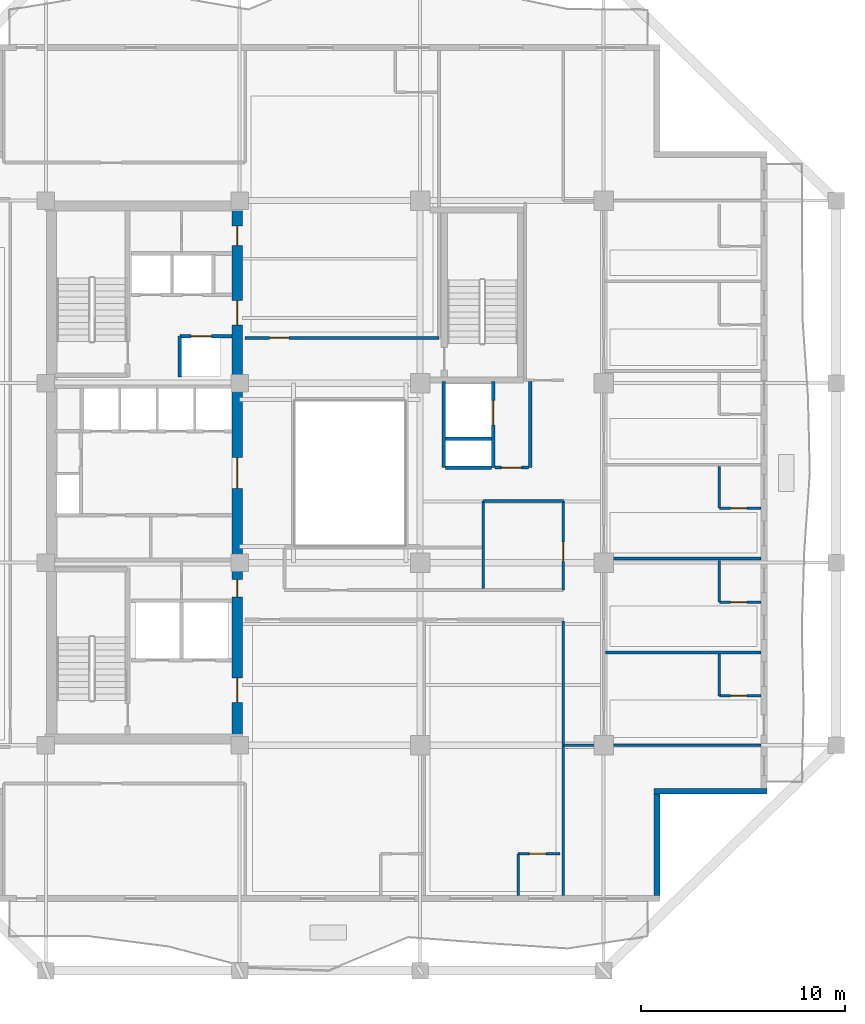
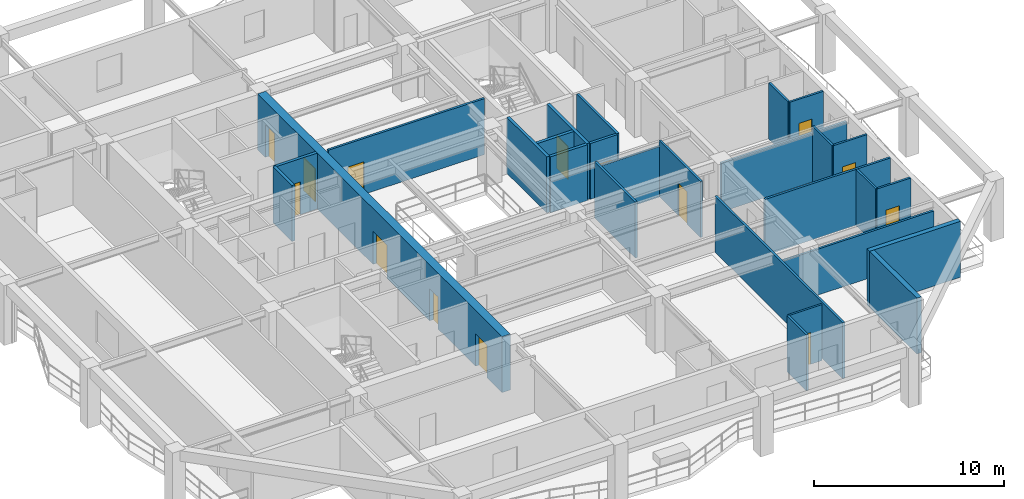
# One storey, part 4 of 13: 27 walls, 14 doors, 14 openings.
"""IFC4 building model written with IfcOpenShell, lengths in metres."""

from ifc_helpers import new_model, si_unit, direction, frame, frame_2d, origin, place, context, subcontext, project, spatial, rectangle, extrude, material, layer, layer_set, type_object, element, fill, save


model = new_model("IFC4")

# Units and contexts
model_context = context("Model", 3, precision=1e-05, world=origin(), true_north=direction((0.0, 1.0)))
body_context = subcontext(model_context, "Body", "Model", "MODEL_VIEW")
ifc_project = project(units=[si_unit("LENGTHUNIT", "METRE"), si_unit("AREAUNIT", "SQUARE_METRE"), si_unit("VOLUMEUNIT", "CUBIC_METRE"), si_unit("PLANEANGLEUNIT", "RADIAN"), si_unit("MASSUNIT", "GRAM", prefix="KILO")], contexts=[model_context])

# Site, building, storey
site_placement = place(None, origin())
site = spatial("IfcSite", under=ifc_project, at=site_placement, CompositionType="ELEMENT")
building_placement = place(site_placement, origin())
building = spatial("IfcBuilding", under=site, at=building_placement, Name="Kundavana Baori Tower", CompositionType="ELEMENT")
storey_placement = place(building_placement, frame((0.0, 0.0, 188.699951171875)))
storey = spatial("IfcBuildingStorey", under=building, at=storey_placement, Name="L46", CompositionType="ELEMENT", Elevation=188.699951171875)

# Wall, openings, doors
ifc_material_1 = material(Name="Concrete C50/60", Category="concrete")
ifc_layer_1 = layer(ifc_material_1, 0.5, Name="WL-CORE-500")
ifc_layer_set_1 = layer_set([ifc_layer_1], Name="Concrete C50/60")
wall_type_1 = type_object("IfcWallType", Name="WL-CORE-500", PredefinedType="SHEAR", material=ifc_layer_set_1)
wall_1_placement = place(storey_placement, frame((24.830078125, 15.739990234375, 0.0), z_axis=(0.0, 0.0, 1.0), x_axis=(0.0, 1.0, 0.0)))
wall_1 = element("IfcWall", 1, at=wall_1_placement, inside=storey, type_object=wall_type_1, Name="L46 Offset Core East Shear Wall", PredefinedType="SHEAR", context=body_context, shape_type="SweptSolid", body=[
    extrude(rectangle(XDim=25.760009765625, YDim=0.5, at=frame_2d((12.8798828125, 0.0))), origin(), (0.0, 0.0, 1.0), 3.60009765625),
])
opening_1_placement = place(wall_1_placement, frame((1.610107421875, 0.0, 0.0)))
opening_1 = element("IfcOpeningElement", 2, at=opening_1_placement, cuts=wall_1, Name="Opening FD-120", PredefinedType="OPENING", context=body_context, shape_type="SweptSolid", body=[
    extrude(rectangle(XDim=1.199951171875, YDim=2.10009765625, at=frame_2d((0.60009765625, 1.050048828125))), frame((0.0, 0.260009765625, 0.0), z_axis=(0.0, -1.0, 0.0), x_axis=(1.0, 0.0, 0.0)), (0.0, 0.0, 1.0), 0.52001953125),
])
opening_2_placement = place(wall_1_placement, frame((6.780029296875, 0.0, 0.0)))
opening_2 = element("IfcOpeningElement", 3, at=opening_2_placement, cuts=wall_1, Name="Opening FD-085", PredefinedType="OPENING", context=body_context, shape_type="SweptSolid", body=[
    extrude(rectangle(XDim=0.85009765625, YDim=2.06005859375, at=frame_2d((0.425048828125, 1.030029296875))), frame((0.0, 0.260009765625, 0.0), z_axis=(0.0, -1.0, 0.0), x_axis=(1.0, 0.0, 0.0)), (0.0, 0.0, 1.0), 0.52001953125),
])
opening_3_placement = place(wall_1_placement, frame((12.110107421875, 0.0, 0.0)))
opening_3 = element("IfcOpeningElement", 4, at=opening_3_placement, cuts=wall_1, Name="Opening FD-150", PredefinedType="OPENING", context=body_context, shape_type="SweptSolid", body=[
    extrude(rectangle(XDim=1.5, YDim=2.1201171875, at=frame_2d((0.75, 1.06005859375))), frame((0.0, 0.260009765625, 0.0), z_axis=(0.0, -1.0, 0.0), x_axis=(1.0, 0.0, 0.0)), (0.0, 0.0, 1.0), 0.52001953125),
])
opening_4_placement = place(wall_1_placement, frame((20.110107421875, 0.0, 0.0)))
opening_4 = element("IfcOpeningElement", 5, at=opening_4_placement, cuts=wall_1, Name="Opening FD-122", PredefinedType="OPENING", context=body_context, shape_type="SweptSolid", body=[
    extrude(rectangle(XDim=1.199951171875, YDim=2.1201171875, at=frame_2d((0.60009765625, 1.06005859375))), frame((0.0, 0.260009765625, 0.0), z_axis=(0.0, -1.0, 0.0), x_axis=(1.0, 0.0, 0.0)), (0.0, 0.0, 1.0), 0.52001953125),
])
opening_5_placement = place(wall_1_placement, frame((24.010009765625, 0.0, 0.0)))
opening_5 = element("IfcOpeningElement", 6, at=opening_5_placement, cuts=wall_1, Name="Opening FD-095", PredefinedType="OPENING", context=body_context, shape_type="SweptSolid", body=[
    extrude(rectangle(XDim=0.949951171875, YDim=2.10009765625, at=frame_2d((0.47509765625, 1.050048828125))), frame((0.0, 0.260009765625, 0.0), z_axis=(0.0, -1.0, 0.0), x_axis=(1.0, 0.0, 0.0)), (0.0, 0.0, 1.0), 0.52001953125),
])
ifc_material_2 = material(Name="Galvanised Steel Fire-Rated Door Leaf", Category="steel")
door_type_1 = type_object("IfcDoorType", Name="DR-FD120-1200", OperationType="NOTDEFINED", PredefinedType="DOOR", material=ifc_material_2)
door_1_placement = place(opening_1_placement, frame((1.199951171875, 0.0, 0.0), z_axis=(0.0, 0.0, 1.0), x_axis=(-1.0, 0.0, 0.0)))
door_1 = element("IfcDoor", 7, at=door_1_placement, inside=storey, type_object=door_type_1, Name="DR-L46-FFLOB-E", OperationType="SINGLE_SWING_RIGHT", OverallHeight=2.10009765625, OverallWidth=1.199951171875, PredefinedType="DOOR", context=body_context, shape_type="SweptSolid", body=[
    extrude(rectangle(XDim=1.199951171875, YDim=2.10009765625, at=frame_2d((0.60009765625, 1.050048828125))), frame((0.0, 0.02490234375, 0.0), z_axis=(0.0, -1.0, 0.0), x_axis=(1.0, 0.0, 0.0)), (0.0, 0.0, 1.0), 0.050048828125),
])
fill(opening_1, door_1)
ifc_material_3 = material(Name="Galvanised Steel Fire-Rated Door Leaf", Category="steel")
door_type_2 = type_object("IfcDoorType", Name="DR-FD60-1200", OperationType="NOTDEFINED", PredefinedType="DOOR", material=ifc_material_3)
door_2_placement = place(opening_4_placement, frame((1.199951171875, 0.0, 0.0), z_axis=(0.0, 0.0, 1.0), x_axis=(-1.0, 0.0, 0.0)))
door_2 = element("IfcDoor", 8, at=door_2_placement, inside=storey, type_object=door_type_2, Name="DR-L46-HRLOB-E", OperationType="SINGLE_SWING_RIGHT", OverallHeight=2.1201171875, OverallWidth=1.199951171875, PredefinedType="DOOR", context=body_context, shape_type="SweptSolid", body=[
    extrude(rectangle(XDim=1.199951171875, YDim=2.1201171875, at=frame_2d((0.60009765625, 1.06005859375))), frame((0.0, 0.02490234375, 0.0), z_axis=(0.0, -1.0, 0.0), x_axis=(1.0, 0.0, 0.0)), (0.0, 0.0, 1.0), 0.050048828125),
])
fill(opening_4, door_2)
ifc_material_4 = material(Name="Galvanised Steel Fire-Rated Door Leaf", Category="steel")
door_type_3 = type_object("IfcDoorType", Name="DR-FD60-1500", OperationType="NOTDEFINED", PredefinedType="DOOR", material=ifc_material_4)
door_3_placement = place(opening_3_placement, frame((1.5, 0.0, 0.0), z_axis=(0.0, 0.0, 1.0), x_axis=(-1.0, 0.0, 0.0)))
door_3 = element("IfcDoor", 9, at=door_3_placement, inside=storey, type_object=door_type_3, Name="DR-L46-LIFTHALL-E", OperationType="SINGLE_SWING_LEFT", OverallHeight=2.1201171875, OverallWidth=1.5, PredefinedType="DOOR", context=body_context, shape_type="SweptSolid", body=[
    extrude(rectangle(XDim=1.5, YDim=2.1201171875, at=frame_2d((0.75, 1.06005859375))), frame((0.0, 0.02490234375, 0.0), z_axis=(0.0, -1.0, 0.0), x_axis=(1.0, 0.0, 0.0)), (0.0, 0.0, 1.0), 0.050048828125),
])
fill(opening_3, door_3)
ifc_material_5 = material(Name="Galvanised Steel Fire-Rated Door Leaf", Category="steel")
door_type_4 = type_object("IfcDoorType", Name="DR-FD60-850", OperationType="NOTDEFINED", PredefinedType="DOOR", material=ifc_material_5)
door_4_placement = place(opening_2_placement, frame((0.85009765625, 0.0, 0.0), z_axis=(0.0, 0.0, 1.0), x_axis=(-1.0, 0.0, 0.0)))
door_4 = element("IfcDoor", 10, at=door_4_placement, inside=storey, type_object=door_type_4, Name="DR-L46-CSMK2", OperationType="SINGLE_SWING_RIGHT", OverallHeight=2.06005859375, OverallWidth=0.85009765625, PredefinedType="DOOR", context=body_context, shape_type="SweptSolid", body=[
    extrude(rectangle(XDim=0.85009765625, YDim=2.06005859375, at=frame_2d((0.425048828125, 1.030029296875))), frame((0.0, 0.02490234375, 0.0), z_axis=(0.0, -1.0, 0.0), x_axis=(1.0, 0.0, 0.0)), (0.0, 0.0, 1.0), 0.050048828125),
])
fill(opening_2, door_4)
ifc_material_6 = material(Name="Engineered Teak Fire-Rated Timber Door Leaf", Category="wood")
door_type_5 = type_object("IfcDoorType", Name="DR-FD60-950", OperationType="NOTDEFINED", PredefinedType="DOOR", material=ifc_material_6)
door_5_placement = place(opening_5_placement, frame((0.949951171875, 0.0, 0.0), z_axis=(0.0, 0.0, 1.0), x_axis=(-1.0, 0.0, 0.0)))
door_5 = element("IfcDoor", 11, at=door_5_placement, inside=storey, type_object=door_type_5, Name="DR-L46-CSRV2", OperationType="SINGLE_SWING_RIGHT", OverallHeight=2.10009765625, OverallWidth=0.949951171875, PredefinedType="DOOR", context=body_context, shape_type="SweptSolid", body=[
    extrude(rectangle(XDim=0.949951171875, YDim=2.10009765625, at=frame_2d((0.47509765625, 1.050048828125))), frame((0.0, 0.02490234375, 0.0), z_axis=(0.0, -1.0, 0.0), x_axis=(1.0, 0.0, 0.0)), (0.0, 0.0, 1.0), 0.050048828125),
])
fill(opening_5, door_5)

# Walls
ifc_material_7 = material(Name="Red-Buff Dholpur Sandstone Cladding on Concrete C40/50", Category="masonry")
ifc_layer_2 = layer(ifc_material_7, 0.280029296875, Name="WL-EXT-SAND-280")
ifc_layer_set_2 = layer_set([ifc_layer_2], Name="Red-Buff Dholpur Sandstone Cladding on Concrete C40/50")
wall_type_2 = type_object("IfcWallType", Name="WL-EXT-SAND-280", PredefinedType="STANDARD", material=ifc_layer_set_2)
wall_2_placement = place(storey_placement, frame((45.409912109375, 7.8798828125, 0.0), z_axis=(0.0, 0.0, 1.0), x_axis=(0.0, 1.0, 0.0)))
element("IfcWall", 12, at=wall_2_placement, inside=storey, type_object=wall_type_2, Name="L46 Exterior Insulated Facade Wall 02", PredefinedType="STANDARD", context=body_context, shape_type="SweptSolid", body=[
    extrude(rectangle(XDim=4.97021484375, YDim=0.280029296875, at=frame_2d((2.485107421875, 0.0))), origin(), (0.0, 0.0, 1.0), 3.60009765625),
])
wall_3_placement = place(storey_placement, frame((45.27001953125, 12.989990234375, 0.0), z_axis=(0.0, 0.0, 1.0), x_axis=(1.0, 0.0, 0.0)))
element("IfcWall", 13, at=wall_3_placement, inside=storey, type_object=wall_type_2, Name="L46 Exterior Insulated Facade Wall 03", PredefinedType="STANDARD", context=body_context, shape_type="SweptSolid", body=[
    extrude(rectangle(XDim=5.530029296875, YDim=0.280029296875, at=frame_2d((2.76513671875, 0.0))), origin(), (0.0, 0.0, 1.0), 3.60009765625),
])

# Wall, opening, door
ifc_material_8 = material(Name="Acoustic Gypsum Plasterboard on Galvanised Steel Studs", Category="steel")
ifc_layer_3 = layer(ifc_material_8, 0.135009765625, Name="WL-PART-135")
ifc_layer_set_3 = layer_set([ifc_layer_3], Name="Acoustic Gypsum Plasterboard on Galvanised Steel Studs")
wall_type_3 = type_object("IfcWallType", Name="WL-PART-135", PredefinedType="PARTITIONING", material=ifc_layer_set_3)
wall_4_placement = place(storey_placement, frame((25.219970703125, 35.219970703125, 0.0), z_axis=(0.0, 0.0, 1.0), x_axis=(1.0, 0.0, 0.0)))
wall_4 = element("IfcWall", 14, at=wall_4_placement, inside=storey, type_object=wall_type_3, Name="WL-L46-HN", PredefinedType="PARTITIONING", context=body_context, shape_type="SweptSolid", body=[
    extrude(rectangle(XDim=9.5, YDim=0.135009765625, at=frame_2d((4.75, 0.0))), origin(), (0.0, 0.0, 1.0), 3.60009765625),
])
opening_6_placement = place(wall_4_placement, frame((1.199951171875, 0.0, 0.0)))
opening_6 = element("IfcOpeningElement", 15, at=opening_6_placement, cuts=wall_4, Name="Opening FD-095", PredefinedType="OPENING", context=body_context, shape_type="SweptSolid", body=[
    extrude(rectangle(XDim=0.949951171875, YDim=2.10009765625, at=frame_2d((0.47509765625, 1.050048828125))), frame((0.0, 0.07763671875, 0.0), z_axis=(0.0, -1.0, 0.0), x_axis=(1.0, 0.0, 0.0)), (0.0, 0.0, 1.0), 0.155029296875),
])
door_6_placement = place(opening_6_placement, origin())
door_6 = element("IfcDoor", 16, at=door_6_placement, inside=storey, type_object=door_type_5, Name="DR-L46-HK-N1-ENT", OperationType="SINGLE_SWING_RIGHT", OverallHeight=2.10009765625, OverallWidth=0.949951171875, PredefinedType="DOOR", context=body_context, shape_type="SweptSolid", body=[
    extrude(rectangle(XDim=0.949951171875, YDim=2.10009765625, at=frame_2d((0.47509765625, 1.050048828125))), frame((0.0, 0.02490234375, 0.0), z_axis=(0.0, -1.0, 0.0), x_axis=(1.0, 0.0, 0.0)), (0.0, 0.0, 1.0), 0.050048828125),
])
fill(opening_6, door_6)

# Wall
wall_5_placement = place(storey_placement, frame((40.820068359375, 15.25, 0.0), z_axis=(0.0, 0.0, 1.0), x_axis=(1.0, 0.0, 0.0)))
element("IfcWall", 17, at=wall_5_placement, inside=storey, type_object=wall_type_3, Name="WL-L46-HES", PredefinedType="PARTITIONING", context=body_context, shape_type="SweptSolid", body=[
    extrude(rectangle(XDim=9.699951171875, YDim=0.135009765625, at=frame_2d((4.85009765625, 0.0))), origin(), (0.0, 0.0, 1.0), 2.949951171875),
])

# Wall, opening, door
wall_6_placement = place(storey_placement, frame((40.820068359375, 22.860107421875, 0.0), z_axis=(0.0, 0.0, 1.0), x_axis=(0.0, 1.0, 0.0)))
wall_6 = element("IfcWall", 18, at=wall_6_placement, inside=storey, type_object=wall_type_3, Name="WL-L46-HEW", PredefinedType="PARTITIONING", context=body_context, shape_type="SweptSolid", body=[
    extrude(rectangle(XDim=4.35986328125, YDim=0.135009765625, at=frame_2d((2.179931640625, 0.0))), origin(), (0.0, 0.0, 1.0), 3.60009765625),
])
opening_7_placement = place(wall_6_placement, frame((1.39990234375, 0.0, 0.0)))
opening_7 = element("IfcOpeningElement", 19, at=opening_7_placement, cuts=wall_6, Name="Opening FD-095", PredefinedType="OPENING", context=body_context, shape_type="SweptSolid", body=[
    extrude(rectangle(XDim=0.949951171875, YDim=2.10009765625, at=frame_2d((0.47509765625, 1.050048828125))), frame((0.0, 0.07763671875, 0.0), z_axis=(0.0, -1.0, 0.0), x_axis=(1.0, 0.0, 0.0)), (0.0, 0.0, 1.0), 0.155029296875),
])
door_7_placement = place(opening_7_placement, frame((0.949951171875, 0.0, 0.0), z_axis=(0.0, 0.0, 1.0), x_axis=(-1.0, 0.0, 0.0)))
door_7 = element("IfcDoor", 20, at=door_7_placement, inside=storey, type_object=door_type_5, Name="DR-L46-HSK", OperationType="SINGLE_SWING_RIGHT", OverallHeight=2.10009765625, OverallWidth=0.949951171875, PredefinedType="DOOR", context=body_context, shape_type="SweptSolid", body=[
    extrude(rectangle(XDim=0.949951171875, YDim=2.10009765625, at=frame_2d((0.47509765625, 1.050048828125))), frame((0.0, 0.02490234375, 0.0), z_axis=(0.0, -1.0, 0.0), x_axis=(1.0, 0.0, 0.0)), (0.0, 0.0, 1.0), 0.050048828125),
])
fill(opening_7, door_7)

# Walls
wall_7_placement = place(storey_placement, frame((36.89990234375, 27.219970703125, 0.0), z_axis=(0.0, 0.0, 1.0), x_axis=(1.0, 0.0, 0.0)))
element("IfcWall", 21, at=wall_7_placement, inside=storey, type_object=wall_type_3, Name="WL-L46-HKN", PredefinedType="PARTITIONING", context=body_context, shape_type="SweptSolid", body=[
    extrude(rectangle(XDim=3.920166015625, YDim=0.135009765625, at=frame_2d((1.9599609375, 0.0))), origin(), (0.0, 0.0, 1.0), 3.25),
])
wall_8_placement = place(storey_placement, frame((36.89990234375, 22.93994140625, 0.0), z_axis=(0.0, 0.0, 1.0), x_axis=(0.0, 1.0, 0.0)))
element("IfcWall", 22, at=wall_8_placement, inside=storey, type_object=wall_type_3, Name="WL-L46-HKD", PredefinedType="PARTITIONING", context=body_context, shape_type="SweptSolid", body=[
    extrude(rectangle(XDim=4.280029296875, YDim=0.135009765625, at=frame_2d((2.14013671875, 0.0))), origin(), (0.0, 0.0, 1.0), 3.60009765625),
])
wall_9_placement = place(storey_placement, frame((40.820068359375, 7.8798828125, 0.0), z_axis=(0.0, 0.0, 1.0), x_axis=(0.0, 1.0, 0.0)))
element("IfcWall", 23, at=wall_9_placement, inside=storey, type_object=wall_type_3, Name="WL-L46-HSEND", PredefinedType="PARTITIONING", context=body_context, shape_type="SweptSolid", body=[
    extrude(rectangle(XDim=13.460205078125, YDim=0.135009765625, at=frame_2d((6.72998046875, 0.0))), origin(), (0.0, 0.0, 1.0), 3.60009765625),
])
wall_10_placement = place(storey_placement, frame((42.8798828125, 19.800048828125, 0.0), z_axis=(0.0, 0.0, 1.0), x_axis=(1.0, 0.0, 0.0)))
element("IfcWall", 24, at=wall_10_placement, inside=storey, type_object=wall_type_3, Name="WL-L46-HED1", PredefinedType="PARTITIONING", context=body_context, shape_type="SweptSolid", body=[
    extrude(rectangle(XDim=7.64013671875, YDim=0.135009765625, at=frame_2d((3.820068359375, 0.0))), origin(), (0.0, 0.0, 1.0), 3.60009765625),
])
wall_11_placement = place(storey_placement, frame((42.8798828125, 24.39990234375, 0.0), z_axis=(0.0, 0.0, 1.0), x_axis=(1.0, 0.0, 0.0)))
element("IfcWall", 25, at=wall_11_placement, inside=storey, type_object=wall_type_3, Name="WL-L46-HED2", PredefinedType="PARTITIONING", context=body_context, shape_type="SweptSolid", body=[
    extrude(rectangle(XDim=7.64013671875, YDim=0.135009765625, at=frame_2d((3.820068359375, 0.0))), origin(), (0.0, 0.0, 1.0), 3.150146484375),
])
ifc_material_9 = material(Name="Fire-Rated Gypsum Drywall on Galvanised Steel Studs", Category="steel")
ifc_layer_4 = layer(ifc_material_9, 0.14990234375, Name="WL-PART-150")
ifc_layer_set_4 = layer_set([ifc_layer_4], Name="Fire-Rated Gypsum Drywall on Galvanised Steel Studs")
wall_type_4 = type_object("IfcWallType", Name="WL-PART-150", PredefinedType="PARTITIONING", material=ifc_layer_set_4)
wall_12_placement = place(storey_placement, frame((39.199951171875, 28.860107421875, 0.0), z_axis=(0.0, 0.0, 1.0), x_axis=(0.0, 1.0, 0.0)))
element("IfcWall", 26, at=wall_12_placement, inside=storey, type_object=wall_type_4, Name="WL-L46-SVLOB-E", PredefinedType="PARTITIONING", context=body_context, shape_type="SweptSolid", body=[
    extrude(rectangle(XDim=4.219970703125, YDim=0.14990234375, at=frame_2d((2.10986328125, 0.0))), origin(), (0.0, 0.0, 1.0), 3.60009765625),
])

# Wall, opening, door
wall_13_placement = place(storey_placement, frame((37.47998046875, 28.860107421875, 0.0), z_axis=(0.0, 0.0, 1.0), x_axis=(1.0, 0.0, 0.0)))
wall_13 = element("IfcWall", 27, at=wall_13_placement, inside=storey, type_object=wall_type_4, Name="WL-L46-SVLOB-S", PredefinedType="PARTITIONING", context=body_context, shape_type="SweptSolid", body=[
    extrude(rectangle(XDim=1.64013671875, YDim=0.14990234375, at=frame_2d((0.820068359375, 0.0))), origin(), (0.0, 0.0, 1.0), 3.60009765625),
])
opening_8_placement = place(wall_13_placement, frame((0.300048828125, 0.0, 0.0)))
opening_8 = element("IfcOpeningElement", 28, at=opening_8_placement, cuts=wall_13, Name="Opening FD-100", PredefinedType="OPENING", context=body_context, shape_type="SweptSolid", body=[
    extrude(rectangle(XDim=1.0, YDim=2.10009765625, at=frame_2d((0.5, 1.050048828125))), frame((0.0, 0.0849609375, 0.0), z_axis=(0.0, -1.0, 0.0), x_axis=(1.0, 0.0, 0.0)), (0.0, 0.0, 1.0), 0.169921875),
])
ifc_material_10 = material(Name="Engineered Teak Fire-Rated Timber Door Leaf", Category="wood")
door_type_6 = type_object("IfcDoorType", Name="DR-FD60-1000", OperationType="NOTDEFINED", PredefinedType="DOOR", material=ifc_material_10)
door_8_placement = place(opening_8_placement, origin())
door_8 = element("IfcDoor", 29, at=door_8_placement, inside=storey, type_object=door_type_6, Name="DR-L46-SVLOB-OUT", OperationType="SINGLE_SWING_LEFT", OverallHeight=2.10009765625, OverallWidth=1.0, PredefinedType="DOOR", context=body_context, shape_type="SweptSolid", body=[
    extrude(rectangle(XDim=1.0, YDim=2.10009765625, at=frame_2d((0.5, 1.050048828125))), frame((0.0, 0.02490234375, 0.0), z_axis=(0.0, -1.0, 0.0), x_axis=(1.0, 0.0, 0.0)), (0.0, 0.0, 1.0), 0.050048828125),
])
fill(opening_8, door_8)

ifc_material_11 = material(Name="Autoclaved Aerated Concrete Blockwork Masonry", Category="masonry")
ifc_layer_5 = layer(ifc_material_11, 0.179931640625, Name="WL-SHAFT-180")
ifc_layer_set_5 = layer_set([ifc_layer_5], Name="Autoclaved Aerated Concrete Blockwork Masonry")
wall_type_5 = type_object("IfcWallType", Name="WL-SHAFT-180", PredefinedType="SOLIDWALL", material=ifc_layer_set_5)
wall_14_placement = place(storey_placement, frame((22.02001953125, 35.31005859375, 0.0), z_axis=(0.0, 0.0, 1.0), x_axis=(1.0, 0.0, 0.0)))
wall_14 = element("IfcWall", 30, at=wall_14_placement, inside=storey, type_object=wall_type_5, Name="WL-L46-LP11-N", PredefinedType="SOLIDWALL", context=body_context, shape_type="SweptSolid", body=[
    extrude(rectangle(XDim=2.56005859375, YDim=0.179931640625, at=frame_2d((1.280029296875, 0.0))), origin(), (0.0, 0.0, 1.0), 3.60009765625),
])
opening_9_placement = place(wall_14_placement, frame((0.550048828125, 0.0, 0.0)))
opening_9 = element("IfcOpeningElement", 31, at=opening_9_placement, cuts=wall_14, Name="Opening LD-100", PredefinedType="OPENING", context=body_context, shape_type="SweptSolid", body=[
    extrude(rectangle(XDim=1.0, YDim=2.10009765625, at=frame_2d((0.5, 1.050048828125))), frame((0.0, 0.10009765625, 0.0), z_axis=(0.0, -1.0, 0.0), x_axis=(1.0, 0.0, 0.0)), (0.0, 0.0, 1.0), 0.199951171875),
])
ifc_material_12 = material(Name="Galvanised Steel Fire-Rated Door Leaf", Category="steel")
door_type_7 = type_object("IfcDoorType", Name="DR-SLIDE-LD1000", OperationType="NOTDEFINED", PredefinedType="DOOR", material=ifc_material_12)
door_9_placement = place(opening_9_placement, origin())
door_9 = element("IfcDoor", 32, at=door_9_placement, inside=storey, type_object=door_type_7, Name="DR-L46-LD-LP11", OperationType="DOUBLE_DOOR_SLIDING", OverallHeight=2.10009765625, OverallWidth=1.0, PredefinedType="DOOR", context=body_context, shape_type="SweptSolid", body=[
    extrude(rectangle(XDim=1.0, YDim=2.10009765625, at=frame_2d((0.5, 1.050048828125))), frame((0.0, 0.02490234375, 0.0), z_axis=(0.0, -1.0, 0.0), x_axis=(1.0, 0.0, 0.0)), (0.0, 0.0, 1.0), 0.050048828125),
])
fill(opening_9, door_9)

# Walls
wall_15_placement = place(storey_placement, frame((22.02001953125, 33.300048828125, 0.0), z_axis=(0.0, 0.0, 1.0), x_axis=(0.0, 1.0, 0.0)))
element("IfcWall", 33, at=wall_15_placement, inside=storey, type_object=wall_type_5, Name="WL-L46-LP11-W", PredefinedType="SOLIDWALL", context=body_context, shape_type="SweptSolid", body=[
    extrude(rectangle(XDim=2.010009765625, YDim=0.179931640625, at=frame_2d((1.0048828125, 0.0))), origin(), (0.0, 0.0, 1.0), 3.60009765625),
])
wall_16_placement = place(storey_placement, frame((34.9599609375, 28.860107421875, 0.0), z_axis=(0.0, 0.0, 1.0), x_axis=(0.0, 1.0, 0.0)))
element("IfcWall", 34, at=wall_16_placement, inside=storey, type_object=wall_type_5, Name="WL-L46-SVL-W", PredefinedType="SOLIDWALL", context=body_context, shape_type="SweptSolid", body=[
    extrude(rectangle(XDim=4.219970703125, YDim=0.179931640625, at=frame_2d((2.10986328125, 0.0))), origin(), (0.0, 0.0, 1.0), 3.60009765625),
])

# Wall, opening, door
wall_17_placement = place(storey_placement, frame((37.389892578125, 28.860107421875, 0.0), z_axis=(0.0, 0.0, 1.0), x_axis=(0.0, 1.0, 0.0)))
wall_17 = element("IfcWall", 35, at=wall_17_placement, inside=storey, type_object=wall_type_5, Name="WL-L46-SVL-E", PredefinedType="SOLIDWALL", context=body_context, shape_type="SweptSolid", body=[
    extrude(rectangle(XDim=4.219970703125, YDim=0.179931640625, at=frame_2d((2.10986328125, 0.0))), origin(), (0.0, 0.0, 1.0), 3.60009765625),
])
opening_10_placement = place(wall_17_placement, frame((2.10009765625, 0.0, 0.0)))
opening_10 = element("IfcOpeningElement", 36, at=opening_10_placement, cuts=wall_17, Name="Opening LD-120", PredefinedType="OPENING", context=body_context, shape_type="SweptSolid", body=[
    extrude(rectangle(XDim=1.199951171875, YDim=2.1201171875, at=frame_2d((0.60009765625, 1.06005859375))), frame((0.0, 0.10009765625, 0.0), z_axis=(0.0, -1.0, 0.0), x_axis=(1.0, 0.0, 0.0)), (0.0, 0.0, 1.0), 0.199951171875),
])
ifc_material_13 = material(Name="Galvanised Steel Fire-Rated Door Leaf", Category="steel")
door_type_8 = type_object("IfcDoorType", Name="DR-SLIDE-LD1200", OperationType="NOTDEFINED", PredefinedType="DOOR", material=ifc_material_13)
door_10_placement = place(opening_10_placement, frame((1.199951171875, 0.0, 0.0), z_axis=(0.0, 0.0, 1.0), x_axis=(-1.0, 0.0, 0.0)))
door_10 = element("IfcDoor", 37, at=door_10_placement, inside=storey, type_object=door_type_8, Name="DR-L46-LD-SVL1", OperationType="DOUBLE_DOOR_SLIDING", OverallHeight=2.1201171875, OverallWidth=1.199951171875, PredefinedType="DOOR", context=body_context, shape_type="SweptSolid", body=[
    extrude(rectangle(XDim=1.199951171875, YDim=2.1201171875, at=frame_2d((0.60009765625, 1.06005859375))), frame((0.0, 0.02490234375, 0.0), z_axis=(0.0, -1.0, 0.0), x_axis=(1.0, 0.0, 0.0)), (0.0, 0.0, 1.0), 0.050048828125),
])
fill(opening_10, door_10)

# Walls
for number, where, z_axis, x_axis, name in (
    (38, (35.050048828125, 28.860107421875, 0.0), (0.0, 0.0, 1.0), (1.0, 0.0, 0.0), "WL-L46-SVL-S"),
    (39, (35.050048828125, 30.27001953125, 0.0), (0.0, 0.0, 1.0), (1.0, 0.0, 0.0), "WL-L46-SVL-M"),
):
    element("IfcWall", number, at=place(storey_placement, frame(where, z_axis=z_axis, x_axis=x_axis)), inside=storey, type_object=wall_type_5, Name=name, PredefinedType="SOLIDWALL", context=body_context, shape_type="SweptSolid", body=[
        extrude(rectangle(XDim=2.25, YDim=0.179931640625, at=frame_2d((1.125, 0.0))), origin(), (0.0, 0.0, 1.0), 3.60009765625),
    ])
ifc_material_14 = material(Name="Autoclaved Aerated Concrete Blockwork Masonry", Category="masonry")
ifc_layer_6 = layer(ifc_material_14, 0.125, Name="WL-WET-120")
ifc_layer_set_6 = layer_set([ifc_layer_6], Name="Autoclaved Aerated Concrete Blockwork Masonry")
wall_type_6 = type_object("IfcWallType", Name="WL-WET-120", PredefinedType="PLUMBINGWALL", material=ifc_layer_set_6)
wall_18_placement = place(storey_placement, frame((38.610107421875, 7.8798828125, 0.0), z_axis=(0.0, 0.0, 1.0), x_axis=(0.0, 1.0, 0.0)))
element("IfcWall", 40, at=wall_18_placement, inside=storey, type_object=wall_type_6, Name="WL-L46-HK-S2-BW", PredefinedType="PLUMBINGWALL", context=body_context, shape_type="SweptSolid", body=[
    extrude(rectangle(XDim=2.050048828125, YDim=0.125, at=frame_2d((1.02490234375, 0.0))), origin(), (0.0, 0.0, 1.0), 3.60009765625),
])

# Wall, opening, door
wall_19_placement = place(storey_placement, frame((38.610107421875, 9.929931640625, 0.0), z_axis=(0.0, 0.0, 1.0), x_axis=(1.0, 0.0, 0.0)))
wall_19 = element("IfcWall", 41, at=wall_19_placement, inside=storey, type_object=wall_type_6, Name="WL-L46-HK-S2-BN", PredefinedType="PLUMBINGWALL", context=body_context, shape_type="SweptSolid", body=[
    extrude(rectangle(XDim=2.0498046875, YDim=0.125, at=frame_2d((1.02490234375, 0.0))), origin(), (0.0, 0.0, 1.0), 3.60009765625),
])
opening_11_placement = place(wall_19_placement, frame((0.550048828125, 0.0, 0.0)))
opening_11 = element("IfcOpeningElement", 42, at=opening_11_placement, cuts=wall_19, Name="Opening WD-080", PredefinedType="OPENING", context=body_context, shape_type="SweptSolid", body=[
    extrude(rectangle(XDim=0.800048828125, YDim=2.050048828125, at=frame_2d((0.39990234375, 1.02490234375))), frame((0.0, 0.072509765625, 0.0), z_axis=(0.0, -1.0, 0.0), x_axis=(1.0, 0.0, 0.0)), (0.0, 0.0, 1.0), 0.14501953125),
])
ifc_material_15 = material(Name="Engineered Teak Solid-Core Timber Veneer", Category="wood")
door_type_9 = type_object("IfcDoorType", Name="DR-WET-800", OperationType="NOTDEFINED", PredefinedType="DOOR", material=ifc_material_15)
door_11_placement = place(opening_11_placement, origin())
door_11 = element("IfcDoor", 43, at=door_11_placement, inside=storey, type_object=door_type_9, Name="DR-L46-HK-S2-ENS", OperationType="SINGLE_SWING_LEFT", OverallHeight=2.050048828125, OverallWidth=0.800048828125, PredefinedType="DOOR", context=body_context, shape_type="SweptSolid", body=[
    extrude(rectangle(XDim=0.800048828125, YDim=2.050048828125, at=frame_2d((0.39990234375, 1.02490234375))), frame((0.0, 0.02490234375, 0.0), z_axis=(0.0, -1.0, 0.0), x_axis=(1.0, 0.0, 0.0)), (0.0, 0.0, 1.0), 0.050048828125),
])
fill(opening_11, door_11)

# Wall
wall_20_placement = place(storey_placement, frame((48.469970703125, 17.669921875, 0.0), z_axis=(0.0, 0.0, 1.0), x_axis=(0.0, 1.0, 0.0)))
element("IfcWall", 44, at=wall_20_placement, inside=storey, type_object=wall_type_6, Name="WL-L46-HK-E1-BW", PredefinedType="PLUMBINGWALL", context=body_context, shape_type="SweptSolid", body=[
    extrude(rectangle(XDim=2.050048828125, YDim=0.125, at=frame_2d((1.02490234375, 0.0))), origin(), (0.0, 0.0, 1.0), 3.60009765625),
])

# Wall, opening, door
wall_21_placement = place(storey_placement, frame((48.469970703125, 17.669921875, 0.0), z_axis=(0.0, 0.0, 1.0), x_axis=(1.0, 0.0, 0.0)))
wall_21 = element("IfcWall", 45, at=wall_21_placement, inside=storey, type_object=wall_type_6, Name="WL-L46-HK-E1-BS", PredefinedType="PLUMBINGWALL", context=body_context, shape_type="SweptSolid", body=[
    extrude(rectangle(XDim=2.050048828125, YDim=0.125, at=frame_2d((1.02490234375, 0.0))), origin(), (0.0, 0.0, 1.0), 3.60009765625),
])
opening_12_placement = place(wall_21_placement, frame((0.550048828125, 0.0, 0.0)))
opening_12 = element("IfcOpeningElement", 46, at=opening_12_placement, cuts=wall_21, Name="Opening WD-080", PredefinedType="OPENING", context=body_context, shape_type="SweptSolid", body=[
    extrude(rectangle(XDim=0.800048828125, YDim=2.050048828125, at=frame_2d((0.39990234375, 1.02490234375))), frame((0.0, 0.072509765625, 0.0), z_axis=(0.0, -1.0, 0.0), x_axis=(1.0, 0.0, 0.0)), (0.0, 0.0, 1.0), 0.14501953125),
])
door_12_placement = place(opening_12_placement, frame((0.800048828125, 0.0, 0.0), z_axis=(0.0, 0.0, 1.0), x_axis=(-1.0, 0.0, 0.0)))
door_12 = element("IfcDoor", 47, at=door_12_placement, inside=storey, type_object=door_type_9, Name="DR-L46-HK-E1-ENS", OperationType="SINGLE_SWING_LEFT", OverallHeight=2.050048828125, OverallWidth=0.800048828125, PredefinedType="DOOR", context=body_context, shape_type="SweptSolid", body=[
    extrude(rectangle(XDim=0.800048828125, YDim=2.050048828125, at=frame_2d((0.39990234375, 1.02490234375))), frame((0.0, 0.02490234375, 0.0), z_axis=(0.0, -1.0, 0.0), x_axis=(1.0, 0.0, 0.0)), (0.0, 0.0, 1.0), 0.050048828125),
])
fill(opening_12, door_12)

# Wall
wall_22_placement = place(storey_placement, frame((48.469970703125, 22.27001953125, 0.0), z_axis=(0.0, 0.0, 1.0), x_axis=(0.0, 1.0, 0.0)))
element("IfcWall", 48, at=wall_22_placement, inside=storey, type_object=wall_type_6, Name="WL-L46-HK-E2-BW", PredefinedType="PLUMBINGWALL", context=body_context, shape_type="SweptSolid", body=[
    extrude(rectangle(XDim=2.050048828125, YDim=0.125, at=frame_2d((1.02490234375, 0.0))), origin(), (0.0, 0.0, 1.0), 3.60009765625),
])

# Wall, opening, door
wall_23_placement = place(storey_placement, frame((48.469970703125, 22.27001953125, 0.0), z_axis=(0.0, 0.0, 1.0), x_axis=(1.0, 0.0, 0.0)))
wall_23 = element("IfcWall", 49, at=wall_23_placement, inside=storey, type_object=wall_type_6, Name="WL-L46-HK-E2-BS", PredefinedType="PLUMBINGWALL", context=body_context, shape_type="SweptSolid", body=[
    extrude(rectangle(XDim=2.050048828125, YDim=0.125, at=frame_2d((1.02490234375, 0.0))), origin(), (0.0, 0.0, 1.0), 3.60009765625),
])
opening_13_placement = place(wall_23_placement, frame((0.550048828125, 0.0, 0.0)))
opening_13 = element("IfcOpeningElement", 50, at=opening_13_placement, cuts=wall_23, Name="Opening WD-080", PredefinedType="OPENING", context=body_context, shape_type="SweptSolid", body=[
    extrude(rectangle(XDim=0.800048828125, YDim=2.050048828125, at=frame_2d((0.39990234375, 1.02490234375))), frame((0.0, 0.072509765625, 0.0), z_axis=(0.0, -1.0, 0.0), x_axis=(1.0, 0.0, 0.0)), (0.0, 0.0, 1.0), 0.14501953125),
])
door_13_placement = place(opening_13_placement, frame((0.800048828125, 0.0, 0.0), z_axis=(0.0, 0.0, 1.0), x_axis=(-1.0, 0.0, 0.0)))
door_13 = element("IfcDoor", 51, at=door_13_placement, inside=storey, type_object=door_type_9, Name="DR-L46-HK-E2-ENS", OperationType="SINGLE_SWING_LEFT", OverallHeight=2.050048828125, OverallWidth=0.800048828125, PredefinedType="DOOR", context=body_context, shape_type="SweptSolid", body=[
    extrude(rectangle(XDim=0.800048828125, YDim=2.050048828125, at=frame_2d((0.39990234375, 1.02490234375))), frame((0.0, 0.02490234375, 0.0), z_axis=(0.0, -1.0, 0.0), x_axis=(1.0, 0.0, 0.0)), (0.0, 0.0, 1.0), 0.050048828125),
])
fill(opening_13, door_13)

# Wall
wall_24_placement = place(storey_placement, frame((48.469970703125, 26.8701171875, 0.0), z_axis=(0.0, 0.0, 1.0), x_axis=(0.0, 1.0, 0.0)))
element("IfcWall", 52, at=wall_24_placement, inside=storey, type_object=wall_type_6, Name="WL-L46-HK-E3-BW", PredefinedType="PLUMBINGWALL", context=body_context, shape_type="SweptSolid", body=[
    extrude(rectangle(XDim=2.0498046875, YDim=0.125, at=frame_2d((1.02490234375, 0.0))), origin(), (0.0, 0.0, 1.0), 3.60009765625),
])

# Wall, opening, door
wall_25_placement = place(storey_placement, frame((48.469970703125, 26.8701171875, 0.0), z_axis=(0.0, 0.0, 1.0), x_axis=(1.0, 0.0, 0.0)))
wall_25 = element("IfcWall", 53, at=wall_25_placement, inside=storey, type_object=wall_type_6, Name="WL-L46-HK-E3-BS", PredefinedType="PLUMBINGWALL", context=body_context, shape_type="SweptSolid", body=[
    extrude(rectangle(XDim=2.050048828125, YDim=0.125, at=frame_2d((1.02490234375, 0.0))), origin(), (0.0, 0.0, 1.0), 3.60009765625),
])
opening_14_placement = place(wall_25_placement, frame((0.550048828125, 0.0, 0.0)))
opening_14 = element("IfcOpeningElement", 54, at=opening_14_placement, cuts=wall_25, Name="Opening WD-080", PredefinedType="OPENING", context=body_context, shape_type="SweptSolid", body=[
    extrude(rectangle(XDim=0.800048828125, YDim=2.050048828125, at=frame_2d((0.39990234375, 1.02490234375))), frame((0.0, 0.072509765625, 0.0), z_axis=(0.0, -1.0, 0.0), x_axis=(1.0, 0.0, 0.0)), (0.0, 0.0, 1.0), 0.14501953125),
])
door_14_placement = place(opening_14_placement, frame((0.800048828125, 0.0, 0.0), z_axis=(0.0, 0.0, 1.0), x_axis=(-1.0, 0.0, 0.0)))
door_14 = element("IfcDoor", 55, at=door_14_placement, inside=storey, type_object=door_type_9, Name="DR-L46-HK-E3-ENS", OperationType="SINGLE_SWING_LEFT", OverallHeight=2.050048828125, OverallWidth=0.800048828125, PredefinedType="DOOR", context=body_context, shape_type="SweptSolid", body=[
    extrude(rectangle(XDim=0.800048828125, YDim=2.050048828125, at=frame_2d((0.39990234375, 1.02490234375))), frame((0.0, 0.02490234375, 0.0), z_axis=(0.0, -1.0, 0.0), x_axis=(1.0, 0.0, 0.0)), (0.0, 0.0, 1.0), 0.050048828125),
])
fill(opening_14, door_14)

save(model, "model.ifc")
